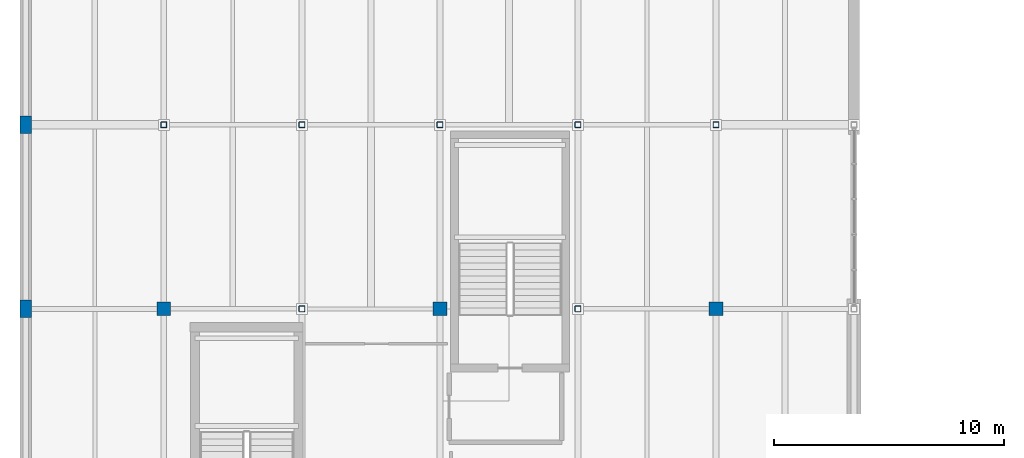
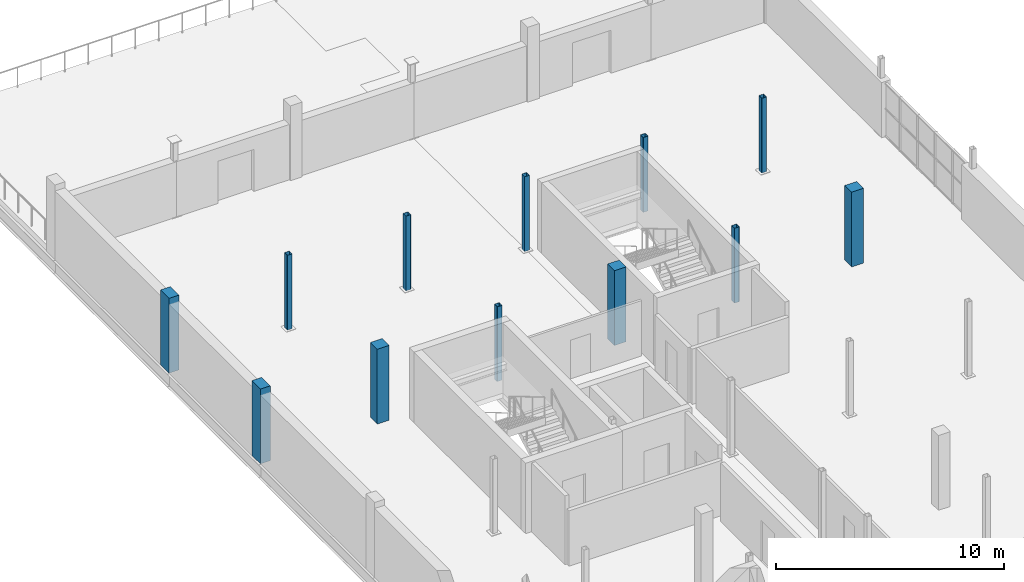
# One storey, part 10 of 96: 12 columns.
"""IFC4 building model written with IfcOpenShell, lengths in metres."""

from ifc_helpers import new_model, si_unit, direction, frame, origin, origin_2d, place, context, subcontext, project, spatial, rectangle, hollow_rectangle, extrude, material, material_profile, profile_set, type_object, element, save


model = new_model("IFC4")

# Units and contexts
model_context = context("Model", 3, precision=1e-05, world=origin(), true_north=direction((0.0, 1.0)))
body_context = subcontext(model_context, "Body", "Model", "MODEL_VIEW")
ifc_project = project(units=[si_unit("LENGTHUNIT", "METRE"), si_unit("AREAUNIT", "SQUARE_METRE"), si_unit("VOLUMEUNIT", "CUBIC_METRE"), si_unit("PLANEANGLEUNIT", "RADIAN"), si_unit("MASSUNIT", "GRAM", prefix="KILO")], contexts=[model_context])

# Site, building, storey
site_placement = place(None, origin())
site = spatial("IfcSite", under=ifc_project, at=site_placement, CompositionType="ELEMENT")
building_placement = place(site_placement, origin())
building = spatial("IfcBuilding", under=site, at=building_placement, Name="Verrall Gate Interchange", CompositionType="ELEMENT")
storey_placement = place(building_placement, frame((0.0, 0.0, 11.39990234375)))
storey = spatial("IfcBuildingStorey", under=building, at=storey_placement, Name="L03", CompositionType="ELEMENT", Elevation=11.39990234375)

# Columns
ifc_material_1 = material(Name="Concrete CSA A23.1 40 MPa (Class N)", Category="concrete")
ifc_material_profile_1 = material_profile(ifc_material_1, rectangle(XDim=0.60009765625, YDim=0.60009765625, at=origin_2d()), Name="RC600x600")
ifc_profile_set_1 = profile_set([ifc_material_profile_1], Name="Concrete CSA A23.1 40 MPa (Class N)")
column_type_1 = type_object("IfcColumnType", Name="C-04 Column RC600x600", PredefinedType="COLUMN", material=ifc_profile_set_1)
for number, where, z_axis, x_axis, name in (
    (1, (6.0, 66.0, 0.0), (0.0, 0.0, 1.0), (1.0, 0.0, 0.0), "L03 Column COL-L03-0228 (C-04)"),
    (2, (18.0, 66.0, 0.0), (0.0, 0.0, 1.0), (1.0, 0.0, 0.0), "L03 Column COL-L03-0462 (C-04)"),
    (3, (30.0, 66.0, 0.0), (0.0, 0.0, 1.0), (1.0, 0.0, 0.0), "L03 Column COL-L03-0696 (C-04)"),
):
    element("IfcColumn", number, at=place(storey_placement, frame(where, z_axis=z_axis, x_axis=x_axis)), inside=storey, type_object=column_type_1, Name=name, PredefinedType="COLUMN", context=body_context, shape_type="SweptSolid", body=[
        extrude(rectangle(XDim=0.60009765625, YDim=0.60009765625, at=origin_2d()), origin(), (0.0, 0.0, 1.0), 4.0),
    ])
ifc_material_2 = material(Name="Concrete CSA A23.1 40 MPa (Class C-1)", Category="concrete")
ifc_material_profile_2 = material_profile(ifc_material_2, rectangle(XDim=0.5, YDim=0.75, at=origin_2d()), Name="RC500x750")
ifc_profile_set_2 = profile_set([ifc_material_profile_2], Name="Concrete CSA A23.1 40 MPa (Class C-1)")
column_type_2 = type_object("IfcColumnType", Name="C-05 Pilaster RC500x750", PredefinedType="PILASTER", material=ifc_profile_set_2)
for number, where, z_axis, x_axis, name in (
    (4, (0.0, 66.0, 0.0), (0.0, 0.0, 1.0), (1.0, 0.0, 0.0), "L03 Column COL-L03-0083 (C-05)"),
    (5, (0.0, 74.0, 0.0), (0.0, 0.0, 1.0), (1.0, 0.0, 0.0), "L03 Column COL-L03-0090 (C-05)"),
):
    element("IfcColumn", number, at=place(storey_placement, frame(where, z_axis=z_axis, x_axis=x_axis)), inside=storey, type_object=column_type_2, Name=name, PredefinedType="PILASTER", context=body_context, shape_type="SweptSolid", body=[
        extrude(rectangle(XDim=0.5, YDim=0.75, at=origin_2d()), origin(), (0.0, 0.0, 1.0), 4.0),
    ])
ifc_material_3 = material(Name="Structural Steel CSA G40.21 350WT Cat 4", Category="steel")
ifc_material_profile_3 = material_profile(ifc_material_3, hollow_rectangle(XDim=0.25390625, YDim=0.25390625, WallThickness=0.009521484375, InnerFilletRadius=0.009521484375, OuterFilletRadius=0.01904296875, at=origin_2d()), Name="HSS254x254x9.5")
ifc_profile_set_3 = profile_set([ifc_material_profile_3], Name="Structural Steel CSA G40.21 350WT Cat 4")
column_type_3 = type_object("IfcColumnType", Name="C-13 Column HSS254x254x9.5", PredefinedType="COLUMN", material=ifc_profile_set_3)
for number, where, z_axis, x_axis, name in (
    (6, (6.0, 74.0, 0.0), (0.0, 0.0, 1.0), (1.0, 0.0, 0.0), "L03 Column COL-L03-0235 (C-13)"),
    (7, (12.0, 66.0, 0.0), (0.0, 0.0, 1.0), (1.0, 0.0, 0.0), "L03 Column COL-L03-0345 (C-13)"),
    (8, (12.0, 74.0, 0.0), (0.0, 0.0, 1.0), (1.0, 0.0, 0.0), "L03 Column COL-L03-0352 (C-13)"),
    (9, (18.0, 74.0, 0.0), (0.0, 0.0, 1.0), (1.0, 0.0, 0.0), "L03 Column COL-L03-0469 (C-13)"),
    (10, (24.0, 66.0, 0.0), (0.0, 0.0, 1.0), (1.0, 0.0, 0.0), "L03 Column COL-L03-0579 (C-13)"),
    (11, (24.0, 74.0, 0.0), (0.0, 0.0, 1.0), (1.0, 0.0, 0.0), "L03 Column COL-L03-0586 (C-13)"),
    (12, (30.0, 74.0, 0.0), (0.0, 0.0, 1.0), (1.0, 0.0, 0.0), "L03 Column COL-L03-0703 (C-13)"),
):
    element("IfcColumn", number, at=place(storey_placement, frame(where, z_axis=z_axis, x_axis=x_axis)), inside=storey, type_object=column_type_3, Name=name, PredefinedType="COLUMN", context=body_context, shape_type="SweptSolid", body=[
        extrude(hollow_rectangle(XDim=0.25390625, YDim=0.25390625, WallThickness=0.009521484375, InnerFilletRadius=0.009521484375, OuterFilletRadius=0.01904296875, at=origin_2d()), origin(), (0.0, 0.0, 1.0), 4.0),
    ])

save(model, "model.ifc")
